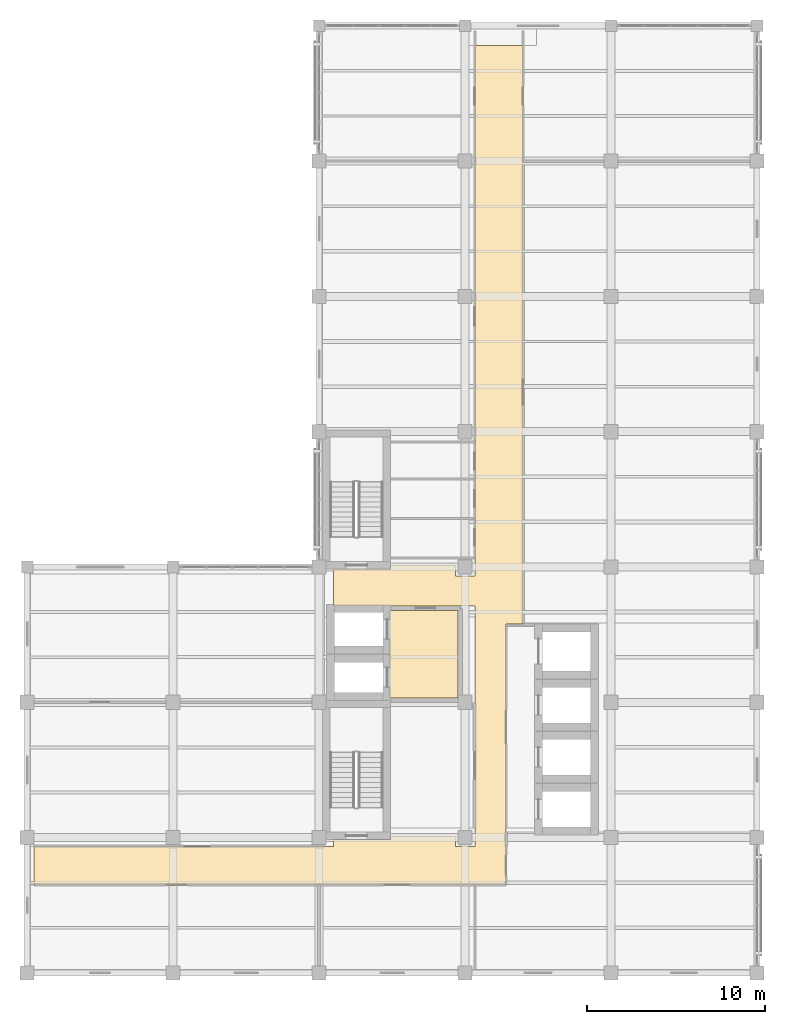
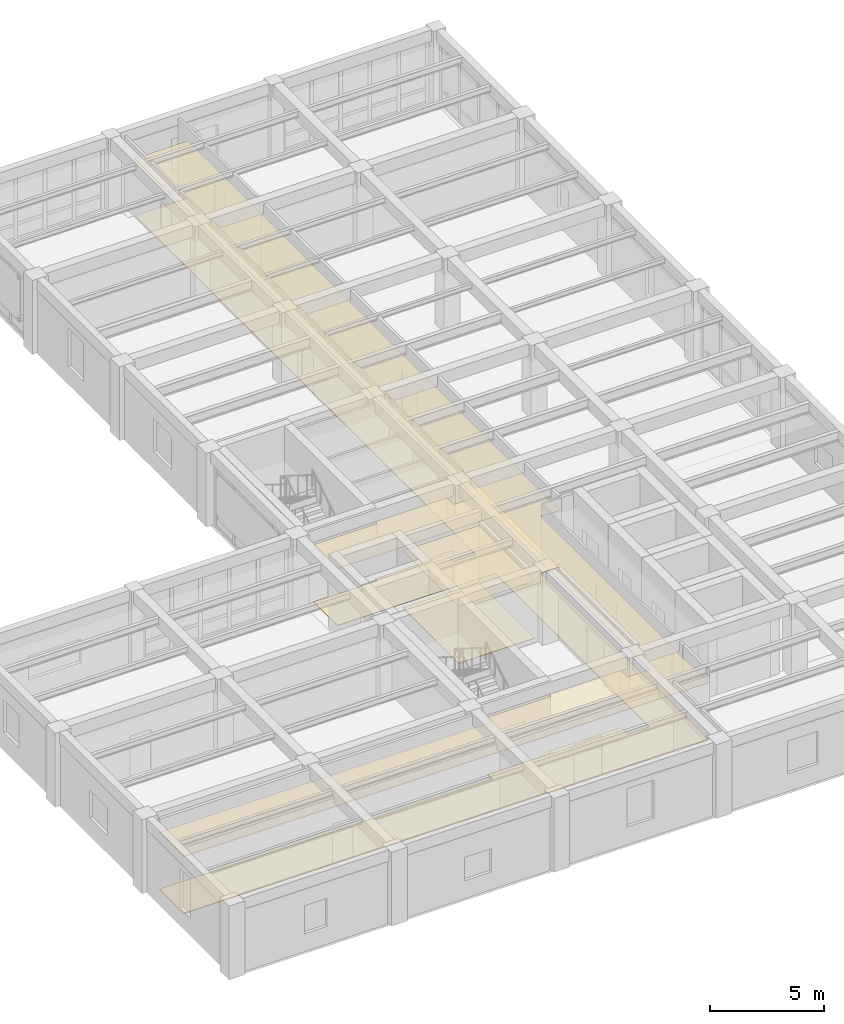
# One storey, part 12 of 14: 4 coverings.
"""IFC4 building model written with IfcOpenShell, lengths in metres."""

from ifc_helpers import new_model, si_unit, direction, frame, origin, place, context, subcontext, project, spatial, polyline, outline, extrude, material, layer, layer_set, type_object, element, save


model = new_model("IFC4")

# Units and contexts
model_context = context("Model", 3, precision=1e-05, world=origin(), true_north=direction((0.0, 1.0)))
body_context = subcontext(model_context, "Body", "Model", "MODEL_VIEW")
ifc_project = project(units=[si_unit("LENGTHUNIT", "METRE"), si_unit("AREAUNIT", "SQUARE_METRE"), si_unit("VOLUMEUNIT", "CUBIC_METRE"), si_unit("PLANEANGLEUNIT", "RADIAN"), si_unit("MASSUNIT", "GRAM", prefix="KILO")], contexts=[model_context])

# Site, building, storey
site_placement = place(None, origin())
site = spatial("IfcSite", under=ifc_project, at=site_placement, CompositionType="ELEMENT")
building_placement = place(site_placement, origin())
building = spatial("IfcBuilding", under=site, at=building_placement, Name="Qandaris Square Conservatory and Botanical Centre", CompositionType="ELEMENT")
storey_placement = place(building_placement, frame((0.0, 0.0, 40.800048828125)))
storey = spatial("IfcBuildingStorey", under=building, at=storey_placement, Name="L09", CompositionType="ELEMENT", Elevation=40.800048828125)

# Coverings
ifc_material_1 = material(Name="Honed Qatari Limestone", Category="masonry")
ifc_layer_1 = layer(ifc_material_1, 0.030029296875)
ifc_layer_set_1 = layer_set([ifc_layer_1], Name="Honed Qatari Limestone")
covering_type_1 = type_object("IfcCoveringType", Name="Honed Qatari Limestone Concourse Paving", PredefinedType="FLOORING", material=ifc_layer_set_1)
covering_1_placement = place(storey_placement, origin())
element("IfcCovering", 1, at=covering_1_placement, inside=storey, type_object=covering_type_1, Name="Firefighting Lift Lobby L09 Flooring", PredefinedType="FLOORING", context=body_context, shape_type="SweptSolid", body=[
    extrude(outline(polyline([(143.14990234375, 36.949951171875), (147.0, 36.949951171875), (147.0, 32.050048828125), (143.14990234375, 32.050048828125), (143.14990234375, 36.949951171875)])), origin(), (0.0, 0.0, 1.0), 0.030029296875),
])
covering_2_placement = place(storey_placement, origin())
element("IfcCovering", 2, at=covering_2_placement, inside=storey, type_object=covering_type_1, Name="Main Circulation Corridor L09 Flooring", PredefinedType="FLOORING", context=body_context, shape_type="SweptSolid", body=[
    extrude(outline(polyline([(140.0, 24.10009765625), (143.199951171875, 24.10009765625), (143.199951171875, 24.280029296875), (146.85009765625, 24.280029296875), (146.85009765625, 23.699951171875), (147.949951171875, 23.699951171875), (147.949951171875, 24.75), (147.949951171875, 31.75), (147.949951171875, 36.199951171875), (147.949951171875, 37.199951171875), (140.0, 37.199951171875), (140.0, 38.89990234375), (140.0, 39.300048828125), (143.199951171875, 39.300048828125), (143.199951171875, 39.47998046875), (146.85009765625, 39.47998046875), (146.85009765625, 38.89990234375), (147.949951171875, 38.89990234375), (147.949951171875, 39.89990234375), (147.949951171875, 42.1201171875), (147.949951171875, 44.340087890625), (147.949951171875, 46.419921875), (147.949951171875, 68.699951171875), (150.64990234375, 68.699951171875), (150.64990234375, 36.199951171875), (149.699951171875, 36.199951171875), (149.699951171875, 36.050048828125), (149.699951171875, 24.75), (149.699951171875, 23.699951171875), (149.699951171875, 21.550048828125), (147.949951171875, 21.550048828125), (123.199951171875, 21.550048828125), (123.199951171875, 23.699951171875), (140.0, 23.699951171875), (140.0, 24.10009765625)])), origin(), (0.0, 0.0, 1.0), 0.030029296875),
])
ifc_material_2 = material(Name="Gypsum Plasterboard", Category="gypsum")
ifc_layer_2 = layer(ifc_material_2, 0.02490234375)
ifc_layer_set_2 = layer_set([ifc_layer_2], Name="Gypsum Plasterboard")
covering_type_2 = type_object("IfcCoveringType", Name="Perforated Acoustic Lab Ceiling Tile", PredefinedType="CEILING", material=ifc_layer_set_2)
covering_3_placement = place(storey_placement, frame((0.0, 0.0, 3.050048828125)))
element("IfcCovering", 3, at=covering_3_placement, inside=storey, type_object=covering_type_2, Name="Firefighting Lift Lobby L09 Ceiling", PredefinedType="CEILING", context=body_context, shape_type="SweptSolid", body=[
    extrude(outline(polyline([(143.14990234375, 36.949951171875), (147.0, 36.949951171875), (147.0, 32.050048828125), (143.14990234375, 32.050048828125), (143.14990234375, 36.949951171875)])), origin(), (0.0, 0.0, 1.0), 0.02490234375),
])
covering_4_placement = place(storey_placement, frame((0.0, 0.0, 3.050048828125)))
element("IfcCovering", 4, at=covering_4_placement, inside=storey, type_object=covering_type_2, Name="Main Circulation Corridor L09 Ceiling", PredefinedType="CEILING", context=body_context, shape_type="SweptSolid", body=[
    extrude(outline(polyline([(140.0, 24.10009765625), (143.199951171875, 24.10009765625), (143.199951171875, 24.280029296875), (146.85009765625, 24.280029296875), (146.85009765625, 23.699951171875), (147.949951171875, 23.699951171875), (147.949951171875, 24.75), (147.949951171875, 31.75), (147.949951171875, 36.199951171875), (147.949951171875, 37.199951171875), (140.0, 37.199951171875), (140.0, 38.89990234375), (140.0, 39.300048828125), (143.199951171875, 39.300048828125), (143.199951171875, 39.47998046875), (146.85009765625, 39.47998046875), (146.85009765625, 38.89990234375), (147.949951171875, 38.89990234375), (147.949951171875, 39.89990234375), (147.949951171875, 42.1201171875), (147.949951171875, 44.340087890625), (147.949951171875, 46.419921875), (147.949951171875, 68.699951171875), (150.64990234375, 68.699951171875), (150.64990234375, 36.199951171875), (149.699951171875, 36.199951171875), (149.699951171875, 36.050048828125), (149.699951171875, 24.75), (149.699951171875, 23.699951171875), (149.699951171875, 21.550048828125), (147.949951171875, 21.550048828125), (123.199951171875, 21.550048828125), (123.199951171875, 23.699951171875), (140.0, 23.699951171875), (140.0, 24.10009765625)])), origin(), (0.0, 0.0, 1.0), 0.02490234375),
])

save(model, "model.ifc")
